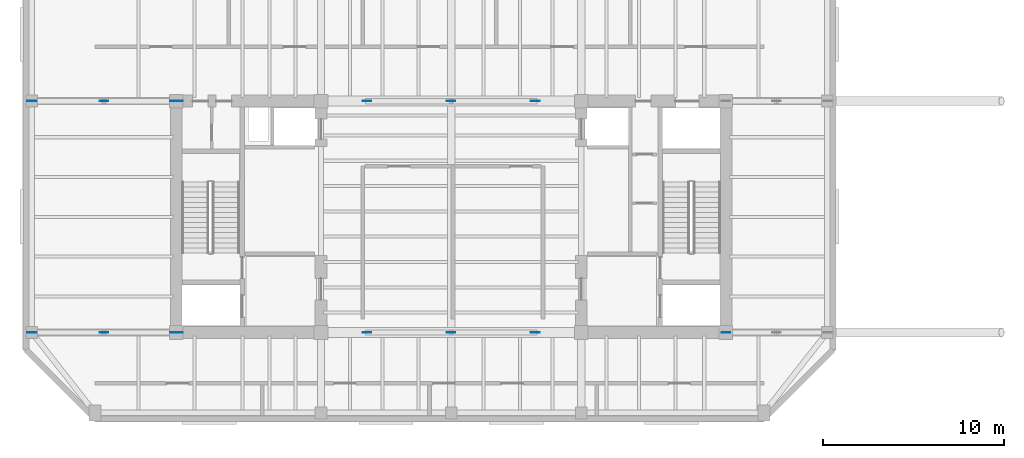
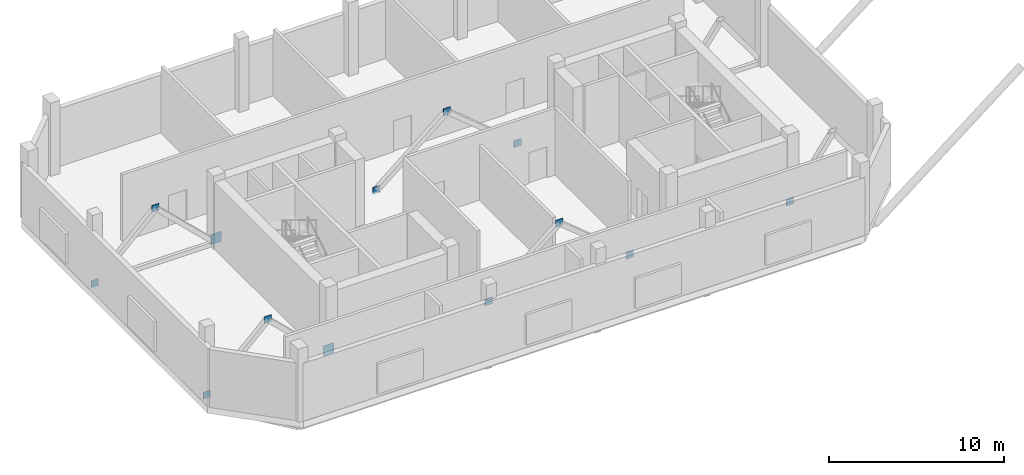
# One storey, part 3 of 9: 13 plates.
"""IFC4 building model written with IfcOpenShell, lengths in metres."""

from ifc_helpers import new_model, si_unit, direction, frame, origin, origin_2d, place, context, subcontext, project, spatial, rectangle, extrude, material, layer, layer_set, type_object, element, save


model = new_model("IFC4")

# Units and contexts
model_context = context("Model", 3, precision=1e-05, world=origin(), true_north=direction((0.0, 1.0)))
body_context = subcontext(model_context, "Body", "Model", "MODEL_VIEW")
ifc_project = project(units=[si_unit("LENGTHUNIT", "METRE"), si_unit("AREAUNIT", "SQUARE_METRE"), si_unit("VOLUMEUNIT", "CUBIC_METRE"), si_unit("PLANEANGLEUNIT", "RADIAN"), si_unit("MASSUNIT", "GRAM", prefix="KILO")], contexts=[model_context])

# Site, building, storey
site_placement = place(None, origin())
site = spatial("IfcSite", under=ifc_project, at=site_placement, CompositionType="ELEMENT")
building_placement = place(site_placement, origin())
building = spatial("IfcBuilding", under=site, at=building_placement, Name="Kranthara Brick Stack", CompositionType="ELEMENT")
storey_placement = place(building_placement, frame((0.0, 0.0, 282.300048828125)))
storey = spatial("IfcBuildingStorey", under=building, at=storey_placement, Name="L75", CompositionType="ELEMENT", Elevation=282.300048828125)

# Plates
ifc_material = material(Name="Steel S355", Category="steel")
ifc_layer = layer(ifc_material, 0.030029296875)
ifc_layer_set = layer_set([ifc_layer], Name="Steel S355")
plate_type = type_object("IfcPlateType", Name="PLT-GUSSET-30", PredefinedType="USERDEFINED", material=ifc_layer_set)
for number, where, z_axis, x_axis, name in (
    (1, (12.800048828125, 20.800048828125, 0.10009765625), (0.0, 0.0, 1.0), (1.0, 0.0, 0.0), "L75 Outrigger Core Gusset Plate 1"),
    (2, (12.800048828125, 33.60009765625, 0.10009765625), (0.0, 0.0, 1.0), (1.0, 0.0, 0.0), "L75 Outrigger Core Gusset Plate 2"),
):
    element("IfcPlate", number, at=place(storey_placement, frame(where, z_axis=z_axis, x_axis=x_axis)), inside=storey, type_object=plate_type, Name=name, ObjectType="GUSSET PLATE", PredefinedType="USERDEFINED", context=body_context, shape_type="SweptSolid", body=[
        extrude(rectangle(XDim=0.699951171875, YDim=0.030029296875, at=origin_2d()), origin(), (0.0, 0.0, 1.0), 0.699951171875),
    ])
for number, where, z_axis, x_axis, name in (
    (3, (8.800048828125, 20.800048828125, 3.7099609375), (0.0, 0.0, 1.0), (1.0, 0.0, 0.0), "L75 Brace and Strut End Connection Gusset Plate 182"),
    (4, (8.800048828125, 33.60009765625, 3.7099609375), (0.0, 0.0, 1.0), (1.0, 0.0, 0.0), "L75 Brace and Strut End Connection Gusset Plate 183"),
    (5, (43.199951171875, 20.800048828125, -0.14013671875), (0.0, 0.0, 1.0), (1.0, 0.0, 0.0), "L75 Brace and Strut End Connection Gusset Plate 184"),
    (6, (4.800048828125, 20.800048828125, -0.14013671875), (0.0, 0.0, 1.0), (1.0, 0.0, 0.0), "L75 Brace and Strut End Connection Gusset Plate 188"),
    (7, (4.800048828125, 33.60009765625, -0.14013671875), (0.0, 0.0, 1.0), (1.0, 0.0, 0.0), "L75 Brace and Strut End Connection Gusset Plate 189"),
    (8, (23.35009765625, 20.800048828125, -0.14013671875), (0.0, 0.0, 1.0), (1.0, 0.0, 0.0), "L75 Brace and Strut End Connection Gusset Plate 192"),
    (9, (28.0, 20.800048828125, 3.7099609375), (0.0, 0.0, 1.0), (1.0, 0.0, 0.0), "L75 Brace and Strut End Connection Gusset Plate 193"),
    (10, (32.64990234375, 20.800048828125, -0.14013671875), (0.0, 0.0, 1.0), (1.0, 0.0, 0.0), "L75 Brace and Strut End Connection Gusset Plate 194"),
    (11, (23.35009765625, 33.60009765625, -0.14013671875), (0.0, 0.0, 1.0), (1.0, 0.0, 0.0), "L75 Brace and Strut End Connection Gusset Plate 195"),
    (12, (28.0, 33.60009765625, 3.7099609375), (0.0, 0.0, 1.0), (1.0, 0.0, 0.0), "L75 Brace and Strut End Connection Gusset Plate 196"),
    (13, (32.64990234375, 33.60009765625, -0.14013671875), (0.0, 0.0, 1.0), (1.0, 0.0, 0.0), "L75 Brace and Strut End Connection Gusset Plate 197"),
):
    element("IfcPlate", number, at=place(storey_placement, frame(where, z_axis=z_axis, x_axis=x_axis)), inside=storey, type_object=plate_type, Name=name, ObjectType="GUSSET PLATE", PredefinedType="USERDEFINED", context=body_context, shape_type="SweptSolid", body=[
        extrude(rectangle(XDim=0.47998046875, YDim=0.030029296875, at=origin_2d()), origin(), (0.0, 0.0, 1.0), 0.47998046875),
    ])

save(model, "model.ifc")
